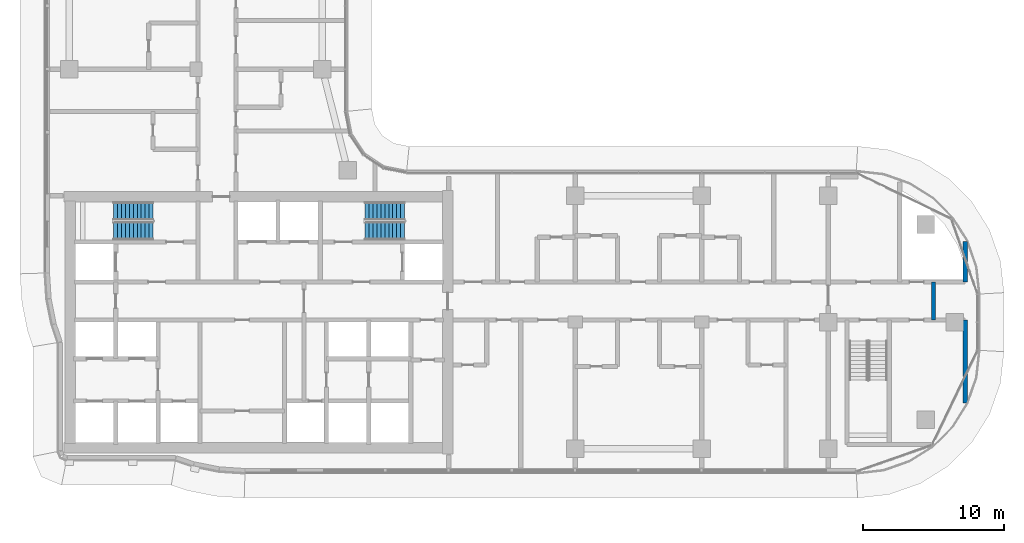
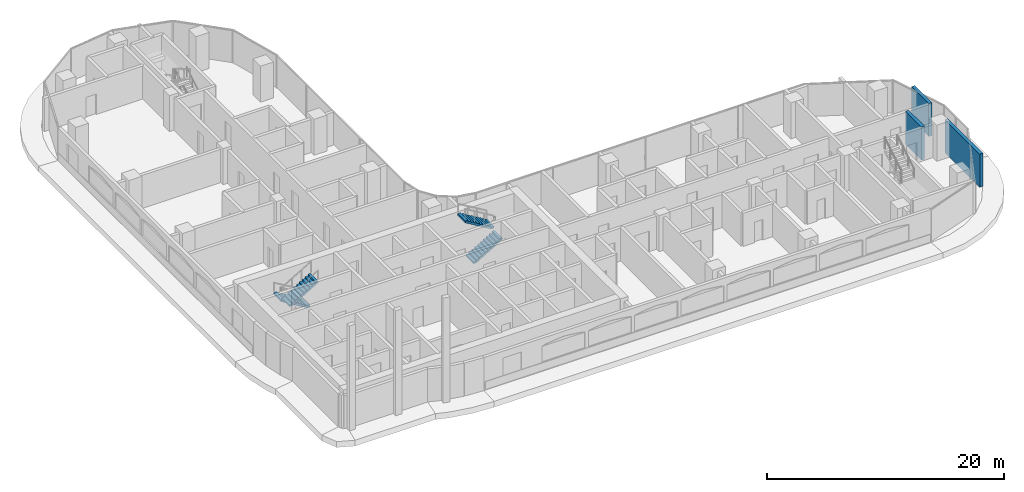
# One storey, part 14 of 25: 4 stair flights, 3 walls, 2 elements without a shape of their own.
"""IFC4 building model written with IfcOpenShell, lengths in metres."""

from ifc_helpers import new_model, si_unit, direction, frame, frame_2d, origin, place, context, subcontext, project, spatial, rectangle, extrude, triangles, source, transform, mapped, material, layer, layer_set, type_object, element, aggregate, save


model = new_model("IFC4")

# Units and contexts
model_context = context("Model", 3, precision=1e-05, world=origin(), true_north=direction((0.0, 1.0)))
body_context = subcontext(model_context, "Body", "Model", "MODEL_VIEW")
ifc_project = project(units=[si_unit("LENGTHUNIT", "METRE"), si_unit("AREAUNIT", "SQUARE_METRE"), si_unit("VOLUMEUNIT", "CUBIC_METRE"), si_unit("PLANEANGLEUNIT", "RADIAN"), si_unit("MASSUNIT", "GRAM", prefix="KILO")], contexts=[model_context])

# Site, building, storey
site_placement = place(None, origin())
site = spatial("IfcSite", under=ifc_project, at=site_placement, CompositionType="ELEMENT")
building_placement = place(site_placement, origin())
building = spatial("IfcBuilding", under=site, at=building_placement, Name="Ogive Portal Towers", CompositionType="ELEMENT")
storey_placement = place(building_placement, frame((0.0, 0.0, 124.10009765625)))
storey = spatial("IfcBuildingStorey", under=building, at=storey_placement, Name="L30", CompositionType="ELEMENT", Elevation=124.10009765625)

# Walls
ifc_material_1 = material(Name="Gypsum board partition on steel studs", Category="steel")
ifc_layer_1 = layer(ifc_material_1, 0.300048828125)
ifc_layer_set_1 = layer_set([ifc_layer_1], Name="WT-PART-300-EI 120")
wall_type_1 = type_object("IfcWallType", Name="WT-PART-300-EI 120", PredefinedType="PARTITIONING", material=ifc_layer_set_1)
wall_1_placement = place(storey_placement, frame((93.0, 30.64990234375, 0.0), z_axis=(0.0, 0.0, 1.0), x_axis=(0.0, 1.0, 0.0)))
element("IfcWall", 1, at=wall_1_placement, inside=storey, type_object=wall_type_1, Name="Wall L30:w065", PredefinedType="PARTITIONING", context=body_context, shape_type="SweptSolid", body=[
    extrude(rectangle(XDim=2.7001953125, YDim=0.300048828125, at=frame_2d((1.35009765625, 0.0))), origin(), (0.0, 0.0, 1.0), 3.39990234375),
])
ifc_layer_2 = layer(ifc_material_1, 0.300048828125)
ifc_layer_set_2 = layer_set([ifc_layer_2], Name="WT-PART-300-EI 60")
wall_type_2 = type_object("IfcWallType", Name="WT-PART-300-EI 60", PredefinedType="PARTITIONING", material=ifc_layer_set_2)
wall_2_placement = place(storey_placement, frame((95.25, 24.75390625, 0.0), z_axis=(0.0, 0.0, 1.0), x_axis=(0.0, 1.0, 0.0)))
element("IfcWall", 2, at=wall_2_placement, inside=storey, type_object=wall_type_2, Name="Wall L30:w066", PredefinedType="PARTITIONING", context=body_context, shape_type="SweptSolid", body=[
    extrude(rectangle(XDim=5.89599609375, YDim=0.300048828125, at=frame_2d((2.947998046875, 0.0))), origin(), (0.0, 0.0, 1.0), 3.39990234375),
])
wall_3_placement = place(storey_placement, frame((95.25, 33.35009765625, 0.0), z_axis=(0.0, 0.0, 1.0), x_axis=(0.0, 1.0, 0.0)))
element("IfcWall", 3, at=wall_3_placement, inside=storey, type_object=wall_type_2, Name="Wall L30:w067", PredefinedType="PARTITIONING", context=body_context, shape_type="SweptSolid", body=[
    extrude(rectangle(XDim=2.89599609375, YDim=0.300048828125, at=frame_2d((1.447998046875, 0.0))), origin(), (0.0, 0.0, 1.0), 3.39990234375),
])

# Stair, stair flights
ifc_material_2 = material(Name="Concrete C40/50", Category="concrete")
stair_type = type_object("IfcStairType", Name="INT-STAIR", PredefinedType="HALF_TURN_STAIR", material=ifc_material_2)
stair_1_placement = place(storey_placement, origin())
stair_1 = element("IfcStair", 4, at=stair_1_placement, inside=storey, type_object=stair_type, Name="L30 Exit Stair ST-A1", PredefinedType="HALF_TURN_STAIR")
stair_flight_type = type_object("IfcStairFlightType", Name="INT-FLIGHT", PredefinedType="STRAIGHT", material=ifc_material_2)
shared_shape = source(origin(), body_context, "Body", "Tessellation", [
    triangles([(0.0, -0.650146484375, 0.0), (0.0, -0.376220703125, 0.0), (0.0, -0.192626953125, 0.0), (0.0, -0.081298828125, 0.0), (0.0, -0.024169921875, 0.0), (0.0, -0.003173828125, 0.0), (0.0, 0.0, 0.0), (0.0, 0.0029296875, 0.0), (0.0, 0.02392578125, 0.0), (0.0, 0.0810546875, 0.0), (0.0, 0.1923828125, 0.0), (0.0, 0.3759765625, 0.0), (0.0, 0.64990234375, 0.0), (0.0, -0.650146484375, 0.168212890625), (0.0, -0.376220703125, 0.168212890625), (0.0, -0.192626953125, 0.168212890625), (0.0, -0.081298828125, 0.168212890625), (0.0, -0.024169921875, 0.168212890625), (0.0, -0.003173828125, 0.168212890625), (0.0, 0.0, 0.168212890625), (0.0, 0.0029296875, 0.168212890625), (0.0, 0.02392578125, 0.168212890625), (0.0, 0.0810546875, 0.168212890625), (0.0, 0.1923828125, 0.168212890625), (0.0, 0.3759765625, 0.168212890625), (0.0, 0.64990234375, 0.168212890625), (0.280029296875, -0.650146484375, 0.168212890625), (0.280029296875, -0.376220703125, 0.168212890625), (0.280029296875, -0.192626953125, 0.168212890625), (0.280029296875, -0.081298828125, 0.168212890625), (0.280029296875, -0.024169921875, 0.168212890625), (0.280029296875, -0.003173828125, 0.168212890625), (0.280029296875, 0.0, 0.168212890625), (0.280029296875, 0.0029296875, 0.168212890625), (0.280029296875, 0.02392578125, 0.168212890625), (0.280029296875, 0.0810546875, 0.168212890625), (0.280029296875, 0.1923828125, 0.168212890625), (0.280029296875, 0.3759765625, 0.168212890625), (0.280029296875, 0.64990234375, 0.168212890625), (0.280029296875, -0.650146484375, 0.33642578125), (0.280029296875, -0.376220703125, 0.33642578125), (0.280029296875, -0.192626953125, 0.33642578125), (0.280029296875, -0.081298828125, 0.33642578125), (0.280029296875, -0.024169921875, 0.33642578125), (0.280029296875, -0.003173828125, 0.33642578125), (0.280029296875, 0.0, 0.33642578125), (0.280029296875, 0.0029296875, 0.33642578125), (0.280029296875, 0.02392578125, 0.33642578125), (0.280029296875, 0.0810546875, 0.33642578125), (0.280029296875, 0.1923828125, 0.33642578125), (0.280029296875, 0.3759765625, 0.33642578125), (0.280029296875, 0.64990234375, 0.33642578125), (0.56005859375, -0.650146484375, 0.33642578125), (0.56005859375, -0.376220703125, 0.33642578125), (0.56005859375, -0.192626953125, 0.33642578125), (0.56005859375, -0.081298828125, 0.33642578125), (0.56005859375, -0.024169921875, 0.33642578125), (0.56005859375, -0.003173828125, 0.33642578125), (0.56005859375, 0.0, 0.33642578125), (0.56005859375, 0.0029296875, 0.33642578125), (0.56005859375, 0.02392578125, 0.33642578125), (0.56005859375, 0.0810546875, 0.33642578125), (0.56005859375, 0.1923828125, 0.33642578125), (0.56005859375, 0.3759765625, 0.33642578125), (0.56005859375, 0.64990234375, 0.33642578125), (0.56005859375, -0.650146484375, 0.504638671875), (0.56005859375, -0.376220703125, 0.504638671875), (0.56005859375, -0.192626953125, 0.504638671875), (0.56005859375, -0.081298828125, 0.504638671875), (0.56005859375, -0.024169921875, 0.504638671875), (0.56005859375, -0.003173828125, 0.504638671875), (0.56005859375, 0.0, 0.504638671875), (0.56005859375, 0.0029296875, 0.504638671875), (0.56005859375, 0.02392578125, 0.504638671875), (0.56005859375, 0.0810546875, 0.504638671875), (0.56005859375, 0.1923828125, 0.504638671875), (0.56005859375, 0.3759765625, 0.504638671875), (0.56005859375, 0.64990234375, 0.504638671875), (0.840087890625, -0.650146484375, 0.504638671875), (0.840087890625, -0.376220703125, 0.504638671875), (0.840087890625, -0.192626953125, 0.504638671875), (0.840087890625, -0.081298828125, 0.504638671875), (0.840087890625, -0.024169921875, 0.504638671875), (0.840087890625, -0.003173828125, 0.504638671875), (0.840087890625, 0.0, 0.504638671875), (0.840087890625, 0.0029296875, 0.504638671875), (0.840087890625, 0.02392578125, 0.504638671875), (0.840087890625, 0.0810546875, 0.504638671875), (0.840087890625, 0.1923828125, 0.504638671875), (0.840087890625, 0.3759765625, 0.504638671875), (0.840087890625, 0.64990234375, 0.504638671875), (0.840087890625, -0.650146484375, 0.672607421875), (0.840087890625, -0.376220703125, 0.672607421875), (0.840087890625, -0.192626953125, 0.672607421875), (0.840087890625, -0.081298828125, 0.672607421875), (0.840087890625, -0.024169921875, 0.672607421875), (0.840087890625, -0.003173828125, 0.672607421875), (0.840087890625, 0.0, 0.672607421875), (0.840087890625, 0.0029296875, 0.672607421875), (0.840087890625, 0.02392578125, 0.672607421875), (0.840087890625, 0.0810546875, 0.672607421875), (0.840087890625, 0.1923828125, 0.672607421875), (0.840087890625, 0.3759765625, 0.672607421875), (0.840087890625, 0.64990234375, 0.672607421875), (1.1201171875, -0.650146484375, 0.672607421875), (1.1201171875, -0.376220703125, 0.672607421875), (1.1201171875, -0.192626953125, 0.672607421875), (1.1201171875, -0.081298828125, 0.672607421875), (1.1201171875, -0.024169921875, 0.672607421875), (1.1201171875, -0.003173828125, 0.672607421875), (1.1201171875, 0.0, 0.672607421875), (1.1201171875, 0.0029296875, 0.672607421875), (1.1201171875, 0.02392578125, 0.672607421875), (1.1201171875, 0.0810546875, 0.672607421875), (1.1201171875, 0.1923828125, 0.672607421875), (1.1201171875, 0.3759765625, 0.672607421875), (1.1201171875, 0.64990234375, 0.672607421875), (1.1201171875, -0.650146484375, 0.8408203125), (1.1201171875, -0.376220703125, 0.8408203125), (1.1201171875, -0.192626953125, 0.8408203125), (1.1201171875, -0.081298828125, 0.8408203125), (1.1201171875, -0.024169921875, 0.8408203125), (1.1201171875, -0.003173828125, 0.8408203125), (1.1201171875, 0.0, 0.8408203125), (1.1201171875, 0.0029296875, 0.8408203125), (1.1201171875, 0.02392578125, 0.8408203125), (1.1201171875, 0.0810546875, 0.8408203125), (1.1201171875, 0.1923828125, 0.8408203125), (1.1201171875, 0.3759765625, 0.8408203125), (1.1201171875, 0.64990234375, 0.8408203125), (1.39990234375, -0.650146484375, 0.8408203125), (1.39990234375, -0.376220703125, 0.8408203125), (1.39990234375, -0.192626953125, 0.8408203125), (1.39990234375, -0.081298828125, 0.8408203125), (1.39990234375, -0.024169921875, 0.8408203125), (1.39990234375, -0.003173828125, 0.8408203125), (1.39990234375, 0.0, 0.8408203125), (1.39990234375, 0.0029296875, 0.8408203125), (1.39990234375, 0.02392578125, 0.8408203125), (1.39990234375, 0.0810546875, 0.8408203125), (1.39990234375, 0.1923828125, 0.8408203125), (1.39990234375, 0.3759765625, 0.8408203125), (1.39990234375, 0.64990234375, 0.8408203125), (1.39990234375, -0.650146484375, 1.009033203125), (1.39990234375, -0.376220703125, 1.009033203125), (1.39990234375, -0.192626953125, 1.009033203125), (1.39990234375, -0.081298828125, 1.009033203125), (1.39990234375, -0.024169921875, 1.009033203125), (1.39990234375, -0.003173828125, 1.009033203125), (1.39990234375, 0.0, 1.009033203125), (1.39990234375, 0.0029296875, 1.009033203125), (1.39990234375, 0.02392578125, 1.009033203125), (1.39990234375, 0.0810546875, 1.009033203125), (1.39990234375, 0.1923828125, 1.009033203125), (1.39990234375, 0.3759765625, 1.009033203125), (1.39990234375, 0.64990234375, 1.009033203125), (1.679931640625, -0.650146484375, 1.009033203125), (1.679931640625, -0.376220703125, 1.009033203125), (1.679931640625, -0.192626953125, 1.009033203125), (1.679931640625, -0.081298828125, 1.009033203125), (1.679931640625, -0.024169921875, 1.009033203125), (1.679931640625, -0.003173828125, 1.009033203125), (1.679931640625, 0.0, 1.009033203125), (1.679931640625, 0.0029296875, 1.009033203125), (1.679931640625, 0.02392578125, 1.009033203125), (1.679931640625, 0.0810546875, 1.009033203125), (1.679931640625, 0.1923828125, 1.009033203125), (1.679931640625, 0.3759765625, 1.009033203125), (1.679931640625, 0.64990234375, 1.009033203125), (1.679931640625, -0.650146484375, 1.17724609375), (1.679931640625, -0.376220703125, 1.17724609375), (1.679931640625, -0.192626953125, 1.17724609375), (1.679931640625, -0.081298828125, 1.17724609375), (1.679931640625, -0.024169921875, 1.17724609375), (1.679931640625, -0.003173828125, 1.17724609375), (1.679931640625, 0.0, 1.17724609375), (1.679931640625, 0.0029296875, 1.17724609375), (1.679931640625, 0.02392578125, 1.17724609375), (1.679931640625, 0.0810546875, 1.17724609375), (1.679931640625, 0.1923828125, 1.17724609375), (1.679931640625, 0.3759765625, 1.17724609375), (1.679931640625, 0.64990234375, 1.17724609375), (1.9599609375, -0.650146484375, 1.17724609375), (1.9599609375, -0.376220703125, 1.17724609375), (1.9599609375, -0.192626953125, 1.17724609375), (1.9599609375, -0.081298828125, 1.17724609375), (1.9599609375, -0.024169921875, 1.17724609375), (1.9599609375, -0.003173828125, 1.17724609375), (1.9599609375, 0.0, 1.17724609375), (1.9599609375, 0.0029296875, 1.17724609375), (1.9599609375, 0.02392578125, 1.17724609375), (1.9599609375, 0.0810546875, 1.17724609375), (1.9599609375, 0.1923828125, 1.17724609375), (1.9599609375, 0.3759765625, 1.17724609375), (1.9599609375, 0.64990234375, 1.17724609375), (1.9599609375, -0.650146484375, 1.345458984375), (1.9599609375, -0.376220703125, 1.345458984375), (1.9599609375, -0.192626953125, 1.345458984375), (1.9599609375, -0.081298828125, 1.345458984375), (1.9599609375, -0.024169921875, 1.345458984375), (1.9599609375, -0.003173828125, 1.345458984375), (1.9599609375, 0.0, 1.345458984375), (1.9599609375, 0.0029296875, 1.345458984375), (1.9599609375, 0.02392578125, 1.345458984375), (1.9599609375, 0.0810546875, 1.345458984375), (1.9599609375, 0.1923828125, 1.345458984375), (1.9599609375, 0.3759765625, 1.345458984375), (1.9599609375, 0.64990234375, 1.345458984375), (2.239990234375, -0.650146484375, 1.345458984375), (2.239990234375, -0.376220703125, 1.345458984375), (2.239990234375, -0.192626953125, 1.345458984375), (2.239990234375, -0.081298828125, 1.345458984375), (2.239990234375, -0.024169921875, 1.345458984375), (2.239990234375, -0.003173828125, 1.345458984375), (2.239990234375, 0.0, 1.345458984375), (2.239990234375, 0.0029296875, 1.345458984375), (2.239990234375, 0.02392578125, 1.345458984375), (2.239990234375, 0.0810546875, 1.345458984375), (2.239990234375, 0.1923828125, 1.345458984375), (2.239990234375, 0.3759765625, 1.345458984375), (2.239990234375, 0.64990234375, 1.345458984375), (2.239990234375, -0.650146484375, 1.513671875), (2.239990234375, -0.376220703125, 1.513671875), (2.239990234375, -0.192626953125, 1.513671875), (2.239990234375, -0.081298828125, 1.513671875), (2.239990234375, -0.024169921875, 1.513671875), (2.239990234375, -0.003173828125, 1.513671875), (2.239990234375, 0.0, 1.513671875), (2.239990234375, 0.0029296875, 1.513671875), (2.239990234375, 0.02392578125, 1.513671875), (2.239990234375, 0.0810546875, 1.513671875), (2.239990234375, 0.1923828125, 1.513671875), (2.239990234375, 0.3759765625, 1.513671875), (2.239990234375, 0.64990234375, 1.513671875), (2.52001953125, -0.650146484375, 1.513671875), (2.52001953125, -0.376220703125, 1.513671875), (2.52001953125, -0.192626953125, 1.513671875), (2.52001953125, -0.081298828125, 1.513671875), (2.52001953125, -0.024169921875, 1.513671875), (2.52001953125, -0.003173828125, 1.513671875), (2.52001953125, 0.0, 1.513671875), (2.52001953125, 0.0029296875, 1.513671875), (2.52001953125, 0.02392578125, 1.513671875), (2.52001953125, 0.0810546875, 1.513671875), (2.52001953125, 0.1923828125, 1.513671875), (2.52001953125, 0.3759765625, 1.513671875), (2.52001953125, 0.64990234375, 1.513671875), (2.52001953125, -0.650146484375, 1.681884765625), (2.52001953125, -0.376220703125, 1.681884765625), (2.52001953125, -0.192626953125, 1.681884765625), (2.52001953125, -0.081298828125, 1.681884765625), (2.52001953125, -0.024169921875, 1.681884765625), (2.52001953125, -0.003173828125, 1.681884765625), (2.52001953125, 0.0, 1.681884765625), (2.52001953125, 0.0029296875, 1.681884765625), (2.52001953125, 0.02392578125, 1.681884765625), (2.52001953125, 0.0810546875, 1.681884765625), (2.52001953125, 0.1923828125, 1.681884765625), (2.52001953125, 0.3759765625, 1.681884765625), (2.52001953125, 0.64990234375, 1.681884765625), (2.800048828125, -0.650146484375, 1.681884765625), (2.800048828125, -0.376220703125, 1.681884765625), (2.800048828125, -0.192626953125, 1.681884765625), (2.800048828125, -0.081298828125, 1.681884765625), (2.800048828125, -0.024169921875, 1.681884765625), (2.800048828125, -0.003173828125, 1.681884765625), (2.800048828125, 0.0, 1.681884765625), (2.800048828125, 0.0029296875, 1.681884765625), (2.800048828125, 0.02392578125, 1.681884765625), (2.800048828125, 0.0810546875, 1.681884765625), (2.800048828125, 0.1923828125, 1.681884765625), (2.800048828125, 0.3759765625, 1.681884765625), (2.800048828125, 0.64990234375, 1.681884765625), (2.800048828125, -0.650146484375, 1.5068359375), (2.800048828125, -0.376220703125, 1.5068359375), (2.800048828125, -0.192626953125, 1.5068359375), (2.800048828125, -0.081298828125, 1.5068359375), (2.800048828125, -0.024169921875, 1.5068359375), (2.800048828125, -0.003173828125, 1.5068359375), (2.800048828125, 0.0, 1.5068359375), (2.800048828125, 0.0029296875, 1.5068359375), (2.800048828125, 0.02392578125, 1.5068359375), (2.800048828125, 0.0810546875, 1.5068359375), (2.800048828125, 0.1923828125, 1.5068359375), (2.800048828125, 0.3759765625, 1.5068359375), (2.800048828125, 0.64990234375, 1.5068359375), (0.291015625, -0.650146484375, 0.0), (0.291015625, -0.376220703125, 0.0), (0.291015625, -0.192626953125, 0.0), (0.291015625, -0.081298828125, 0.0), (0.291015625, -0.024169921875, 0.0), (0.291015625, -0.003173828125, 0.0), (0.291015625, 0.0, 0.0), (0.291015625, 0.0029296875, 0.0), (0.291015625, 0.02392578125, 0.0), (0.291015625, 0.0810546875, 0.0), (0.291015625, 0.1923828125, 0.0), (0.291015625, 0.3759765625, 0.0), (0.291015625, 0.64990234375, 0.0)], [[1, 14, 15], [1, 15, 2], [2, 15, 16], [2, 16, 3], [3, 16, 17], [3, 17, 4], [4, 17, 18], [4, 18, 5], [5, 18, 19], [5, 19, 6], [6, 19, 20], [6, 20, 7], [7, 20, 21], [7, 21, 8], [8, 21, 22], [8, 22, 9], [9, 22, 23], [9, 23, 10], [10, 23, 24], [10, 24, 11], [11, 24, 25], [11, 25, 12], [12, 25, 26], [12, 26, 13], [14, 27, 28], [14, 28, 15], [15, 28, 29], [15, 29, 16], [16, 29, 30], [16, 30, 17], [17, 30, 31], [17, 31, 18], [18, 31, 32], [18, 32, 19], [19, 32, 33], [19, 33, 20], [20, 33, 34], [20, 34, 21], [21, 34, 35], [21, 35, 22], [22, 35, 36], [22, 36, 23], [23, 36, 37], [23, 37, 24], [24, 37, 38], [24, 38, 25], [25, 38, 39], [25, 39, 26], [27, 40, 41], [27, 41, 28], [28, 41, 42], [28, 42, 29], [29, 42, 43], [29, 43, 30], [30, 43, 44], [30, 44, 31], [31, 44, 45], [31, 45, 32], [32, 45, 46], [32, 46, 33], [33, 46, 47], [33, 47, 34], [34, 47, 48], [34, 48, 35], [35, 48, 49], [35, 49, 36], [36, 49, 50], [36, 50, 37], [37, 50, 51], [37, 51, 38], [38, 51, 52], [38, 52, 39], [40, 53, 54], [40, 54, 41], [41, 54, 55], [41, 55, 42], [42, 55, 56], [42, 56, 43], [43, 56, 57], [43, 57, 44], [44, 57, 58], [44, 58, 45], [45, 58, 59], [45, 59, 46], [46, 59, 60], [46, 60, 47], [47, 60, 61], [47, 61, 48], [48, 61, 62], [48, 62, 49], [49, 62, 63], [49, 63, 50], [50, 63, 64], [50, 64, 51], [51, 64, 65], [51, 65, 52], [53, 66, 67], [53, 67, 54], [54, 67, 68], [54, 68, 55], [55, 68, 69], [55, 69, 56], [56, 69, 70], [56, 70, 57], [57, 70, 71], [57, 71, 58], [58, 71, 72], [58, 72, 59], [59, 72, 73], [59, 73, 60], [60, 73, 74], [60, 74, 61], [61, 74, 75], [61, 75, 62], [62, 75, 76], [62, 76, 63], [63, 76, 77], [63, 77, 64], [64, 77, 78], [64, 78, 65], [66, 79, 80], [66, 80, 67], [67, 80, 81], [67, 81, 68], [68, 81, 82], [68, 82, 69], [69, 82, 83], [69, 83, 70], [70, 83, 84], [70, 84, 71], [71, 84, 85], [71, 85, 72], [72, 85, 86], [72, 86, 73], [73, 86, 87], [73, 87, 74], [74, 87, 88], [74, 88, 75], [75, 88, 89], [75, 89, 76], [76, 89, 90], [76, 90, 77], [77, 90, 91], [77, 91, 78], [79, 92, 93], [79, 93, 80], [80, 93, 94], [80, 94, 81], [81, 94, 95], [81, 95, 82], [82, 95, 96], [82, 96, 83], [83, 96, 97], [83, 97, 84], [84, 97, 98], [84, 98, 85], [85, 98, 99], [85, 99, 86], [86, 99, 100], [86, 100, 87], [87, 100, 101], [87, 101, 88], [88, 101, 102], [88, 102, 89], [89, 102, 103], [89, 103, 90], [90, 103, 104], [90, 104, 91], [92, 105, 106], [92, 106, 93], [93, 106, 107], [93, 107, 94], [94, 107, 108], [94, 108, 95], [95, 108, 109], [95, 109, 96], [96, 109, 110], [96, 110, 97], [97, 110, 111], [97, 111, 98], [98, 111, 112], [98, 112, 99], [99, 112, 113], [99, 113, 100], [100, 113, 114], [100, 114, 101], [101, 114, 115], [101, 115, 102], [102, 115, 116], [102, 116, 103], [103, 116, 117], [103, 117, 104], [105, 118, 119], [105, 119, 106], [106, 119, 120], [106, 120, 107], [107, 120, 121], [107, 121, 108], [108, 121, 122], [108, 122, 109], [109, 122, 123], [109, 123, 110], [110, 123, 124], [110, 124, 111], [111, 124, 125], [111, 125, 112], [112, 125, 126], [112, 126, 113], [113, 126, 127], [113, 127, 114], [114, 127, 128], [114, 128, 115], [115, 128, 129], [115, 129, 116], [116, 129, 130], [116, 130, 117], [118, 131, 132], [118, 132, 119], [119, 132, 133], [119, 133, 120], [120, 133, 134], [120, 134, 121], [121, 134, 135], [121, 135, 122], [122, 135, 136], [122, 136, 123], [123, 136, 137], [123, 137, 124], [124, 137, 138], [124, 138, 125], [125, 138, 139], [125, 139, 126], [126, 139, 140], [126, 140, 127], [127, 140, 141], [127, 141, 128], [128, 141, 142], [128, 142, 129], [129, 142, 143], [129, 143, 130], [131, 144, 145], [131, 145, 132], [132, 145, 146], [132, 146, 133], [133, 146, 147], [133, 147, 134], [134, 147, 148], [134, 148, 135], [135, 148, 149], [135, 149, 136], [136, 149, 150], [136, 150, 137], [137, 150, 151], [137, 151, 138], [138, 151, 152], [138, 152, 139], [139, 152, 153], [139, 153, 140], [140, 153, 154], [140, 154, 141], [141, 154, 155], [141, 155, 142], [142, 155, 156], [142, 156, 143], [144, 157, 158], [144, 158, 145], [145, 158, 159], [145, 159, 146], [146, 159, 160], [146, 160, 147], [147, 160, 161], [147, 161, 148], [148, 161, 162], [148, 162, 149], [149, 162, 163], [149, 163, 150], [150, 163, 164], [150, 164, 151], [151, 164, 165], [151, 165, 152], [152, 165, 166], [152, 166, 153], [153, 166, 167], [153, 167, 154], [154, 167, 168], [154, 168, 155], [155, 168, 169], [155, 169, 156], [157, 170, 171], [157, 171, 158], [158, 171, 172], [158, 172, 159], [159, 172, 173], [159, 173, 160], [160, 173, 174], [160, 174, 161], [161, 174, 175], [161, 175, 162], [162, 175, 176], [162, 176, 163], [163, 176, 177], [163, 177, 164], [164, 177, 178], [164, 178, 165], [165, 178, 179], [165, 179, 166], [166, 179, 180], [166, 180, 167], [167, 180, 181], [167, 181, 168], [168, 181, 182], [168, 182, 169], [170, 183, 184], [170, 184, 171], [171, 184, 185], [171, 185, 172], [172, 185, 186], [172, 186, 173], [173, 186, 187], [173, 187, 174], [174, 187, 188], [174, 188, 175], [175, 188, 189], [175, 189, 176], [176, 189, 190], [176, 190, 177], [177, 190, 191], [177, 191, 178], [178, 191, 192], [178, 192, 179], [179, 192, 193], [179, 193, 180], [180, 193, 194], [180, 194, 181], [181, 194, 195], [181, 195, 182], [183, 196, 197], [183, 197, 184], [184, 197, 198], [184, 198, 185], [185, 198, 199], [185, 199, 186], [186, 199, 200], [186, 200, 187], [187, 200, 201], [187, 201, 188], [188, 201, 202], [188, 202, 189], [189, 202, 203], [189, 203, 190], [190, 203, 204], [190, 204, 191], [191, 204, 205], [191, 205, 192], [192, 205, 206], [192, 206, 193], [193, 206, 207], [193, 207, 194], [194, 207, 208], [194, 208, 195], [196, 209, 210], [196, 210, 197], [197, 210, 211], [197, 211, 198], [198, 211, 212], [198, 212, 199], [199, 212, 213], [199, 213, 200], [200, 213, 214], [200, 214, 201], [201, 214, 215], [201, 215, 202], [202, 215, 216], [202, 216, 203], [203, 216, 217], [203, 217, 204], [204, 217, 218], [204, 218, 205], [205, 218, 219], [205, 219, 206], [206, 219, 220], [206, 220, 207], [207, 220, 221], [207, 221, 208], [209, 222, 223], [209, 223, 210], [210, 223, 224], [210, 224, 211], [211, 224, 225], [211, 225, 212], [212, 225, 226], [212, 226, 213], [213, 226, 227], [213, 227, 214], [214, 227, 228], [214, 228, 215], [215, 228, 229], [215, 229, 216], [216, 229, 230], [216, 230, 217], [217, 230, 231], [217, 231, 218], [218, 231, 232], [218, 232, 219], [219, 232, 233], [219, 233, 220], [220, 233, 234], [220, 234, 221], [222, 235, 236], [222, 236, 223], [223, 236, 237], [223, 237, 224], [224, 237, 238], [224, 238, 225], [225, 238, 239], [225, 239, 226], [226, 239, 240], [226, 240, 227], [227, 240, 241], [227, 241, 228], [228, 241, 242], [228, 242, 229], [229, 242, 243], [229, 243, 230], [230, 243, 244], [230, 244, 231], [231, 244, 245], [231, 245, 232], [232, 245, 246], [232, 246, 233], [233, 246, 247], [233, 247, 234], [235, 248, 249], [235, 249, 236], [236, 249, 250], [236, 250, 237], [237, 250, 251], [237, 251, 238], [238, 251, 252], [238, 252, 239], [239, 252, 253], [239, 253, 240], [240, 253, 254], [240, 254, 241], [241, 254, 255], [241, 255, 242], [242, 255, 256], [242, 256, 243], [243, 256, 257], [243, 257, 244], [244, 257, 258], [244, 258, 245], [245, 258, 259], [245, 259, 246], [246, 259, 260], [246, 260, 247], [248, 261, 262], [248, 262, 249], [249, 262, 263], [249, 263, 250], [250, 263, 264], [250, 264, 251], [251, 264, 265], [251, 265, 252], [252, 265, 266], [252, 266, 253], [253, 266, 267], [253, 267, 254], [254, 267, 268], [254, 268, 255], [255, 268, 269], [255, 269, 256], [256, 269, 270], [256, 270, 257], [257, 270, 271], [257, 271, 258], [258, 271, 272], [258, 272, 259], [259, 272, 273], [259, 273, 260], [261, 274, 275], [261, 275, 262], [262, 275, 276], [262, 276, 263], [263, 276, 277], [263, 277, 264], [264, 277, 278], [264, 278, 265], [265, 278, 279], [265, 279, 266], [266, 279, 280], [266, 280, 267], [267, 280, 281], [267, 281, 268], [268, 281, 282], [268, 282, 269], [269, 282, 283], [269, 283, 270], [270, 283, 284], [270, 284, 271], [271, 284, 285], [271, 285, 272], [272, 285, 286], [272, 286, 273], [274, 287, 288], [274, 288, 275], [275, 288, 289], [275, 289, 276], [276, 289, 290], [276, 290, 277], [277, 290, 291], [277, 291, 278], [278, 291, 292], [278, 292, 279], [279, 292, 293], [279, 293, 280], [280, 293, 294], [280, 294, 281], [281, 294, 295], [281, 295, 282], [282, 295, 296], [282, 296, 283], [283, 296, 297], [283, 297, 284], [284, 297, 298], [284, 298, 285], [285, 298, 299], [285, 299, 286], [287, 1, 2], [287, 2, 288], [288, 2, 3], [288, 3, 289], [289, 3, 4], [289, 4, 290], [290, 4, 5], [290, 5, 291], [291, 5, 6], [291, 6, 292], [292, 6, 7], [292, 7, 293], [293, 7, 8], [293, 8, 294], [294, 8, 9], [294, 9, 295], [295, 9, 10], [295, 10, 296], [296, 10, 11], [296, 11, 297], [297, 11, 12], [297, 12, 298], [298, 12, 13], [298, 13, 299], [1, 287, 274], [13, 286, 299], [274, 261, 248], [286, 260, 273], [274, 248, 235], [286, 247, 260], [274, 235, 222], [286, 234, 247], [274, 222, 209], [286, 221, 234], [209, 196, 183], [221, 195, 208], [274, 209, 183], [286, 195, 221], [183, 170, 157], [195, 169, 182], [274, 183, 157], [286, 169, 195], [157, 144, 131], [169, 143, 156], [274, 157, 131], [286, 143, 169], [131, 118, 105], [143, 117, 130], [274, 131, 105], [286, 117, 143], [1, 274, 105], [13, 117, 286], [105, 92, 79], [117, 91, 104], [79, 66, 53], [91, 65, 78], [105, 79, 53], [117, 65, 91], [53, 40, 27], [65, 39, 52], [105, 53, 27], [117, 39, 65], [1, 105, 27], [13, 39, 117], [27, 14, 1], [39, 13, 26]], closed=True),
])
stair_flight_1_placement = place(storey_placement, frame((37.449951171875, 38.39990234375, 0.0), z_axis=(0.0, 0.0, 1.0), x_axis=(-1.0, 0.0, 0.0)))
stair_flight_1 = element("IfcStairFlight", 5, at=stair_flight_1_placement, type_object=stair_flight_type, Name="ST-A1 flight 1", NumberOfRisers=11, NumberOfTreads=10, PredefinedType="STRAIGHT", RiserHeight=0.168181818, TreadLength=0.28, context=body_context, shape_type="MappedRepresentation", body=[
    mapped(shared_shape, transform((0.0, 0.0, 0.0), scale=1.0)),
])
stair_flight_2_placement = place(storey_placement, frame((34.64990234375, 37.0, 1.849853515625), z_axis=(0.0, 0.0, 1.0), x_axis=(1.0, 0.0, 0.0)))
stair_flight_2 = element("IfcStairFlight", 6, at=stair_flight_2_placement, type_object=stair_flight_type, Name="ST-A1 flight 2", NumberOfRisers=11, NumberOfTreads=10, PredefinedType="STRAIGHT", RiserHeight=0.168181818, TreadLength=0.28, context=body_context, shape_type="MappedRepresentation", body=[
    mapped(shared_shape, transform((0.0, 0.0, 0.0), scale=1.0)),
])
aggregate(stair_1, [stair_flight_1, stair_flight_2])

stair_2_placement = place(storey_placement, origin())
stair_2 = element("IfcStair", 7, at=stair_2_placement, inside=storey, type_object=stair_type, Name="L30 Exit Stair ST-A2", PredefinedType="HALF_TURN_STAIR")
stair_flight_3_placement = place(storey_placement, frame((52.550048828125, 37.0, 0.0), z_axis=(0.0, 0.0, 1.0), x_axis=(1.0, 0.0, 0.0)))
stair_flight_3 = element("IfcStairFlight", 8, at=stair_flight_3_placement, type_object=stair_flight_type, Name="ST-A2 flight 1", NumberOfRisers=11, NumberOfTreads=10, PredefinedType="STRAIGHT", RiserHeight=0.168181818, TreadLength=0.28, context=body_context, shape_type="MappedRepresentation", body=[
    mapped(shared_shape, transform((0.0, 0.0, 0.0), scale=1.0)),
])
stair_flight_4_placement = place(storey_placement, frame((55.35009765625, 38.39990234375, 1.849853515625), z_axis=(0.0, 0.0, 1.0), x_axis=(-1.0, 0.0, 0.0)))
stair_flight_4 = element("IfcStairFlight", 9, at=stair_flight_4_placement, type_object=stair_flight_type, Name="ST-A2 flight 2", NumberOfRisers=11, NumberOfTreads=10, PredefinedType="STRAIGHT", RiserHeight=0.168181818, TreadLength=0.28, context=body_context, shape_type="MappedRepresentation", body=[
    mapped(shared_shape, transform((0.0, 0.0, 0.0), scale=1.0)),
])
aggregate(stair_2, [stair_flight_3, stair_flight_4])

save(model, "model.ifc")
